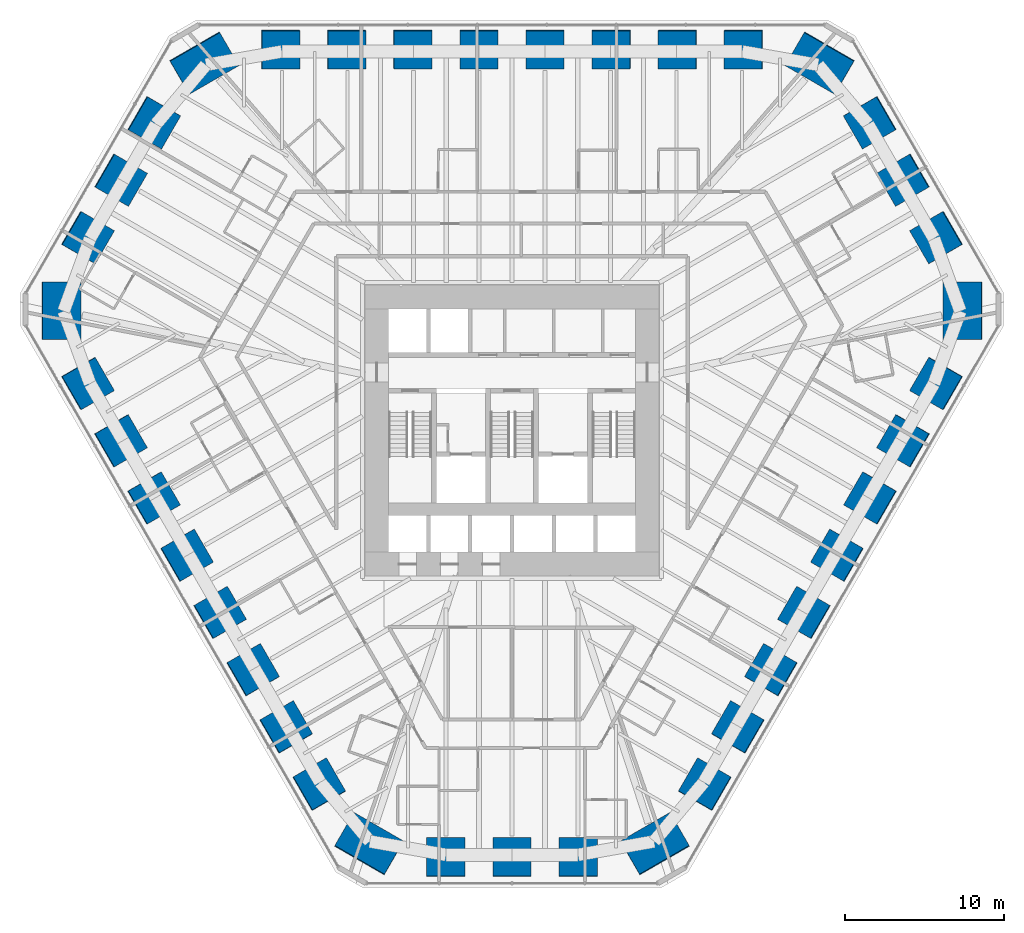
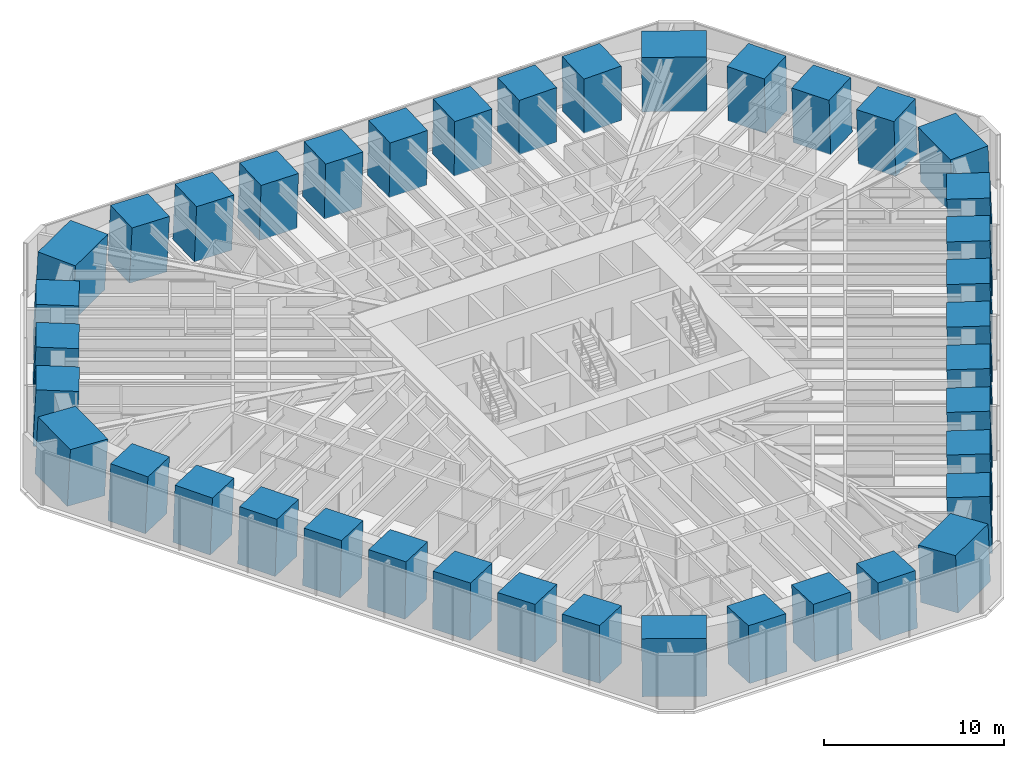
# One storey, part 1 of 17: 39 columns.
"""IFC4 building model written with IfcOpenShell, lengths in metres."""

from ifc_helpers import new_model, si_unit, direction, frame, origin, origin_2d, place, context, subcontext, project, spatial, rectangle, extrude, material, material_profile, profile_set, type_object, element, save


model = new_model("IFC4")

# Units and contexts
model_context = context("Model", 3, precision=1e-05, world=origin(), true_north=direction((0.0, 1.0)))
body_context = subcontext(model_context, "Body", "Model", "MODEL_VIEW")
ifc_project = project(units=[si_unit("LENGTHUNIT", "METRE"), si_unit("AREAUNIT", "SQUARE_METRE"), si_unit("VOLUMEUNIT", "CUBIC_METRE"), si_unit("PLANEANGLEUNIT", "RADIAN"), si_unit("MASSUNIT", "GRAM", prefix="KILO")], contexts=[model_context])

# Site, building, storey
site_placement = place(None, origin())
site = spatial("IfcSite", under=ifc_project, at=site_placement, CompositionType="ELEMENT")
building_placement = place(site_placement, origin())
building = spatial("IfcBuilding", under=site, at=building_placement, Name="Sandreach Pilgrim Tower", CompositionType="ELEMENT")
storey_placement = place(building_placement, frame((0.0, 0.0, 64.800048828125)))
storey = spatial("IfcBuildingStorey", under=building, at=storey_placement, Name="L15", CompositionType="ELEMENT", Elevation=64.800048828125)

# Columns
ifc_material_1 = material(Name="Concrete 10000 psi", Category="concrete")
ifc_material_profile_1 = material_profile(ifc_material_1, rectangle(XDim=2.39990234375, YDim=2.39990234375, at=origin_2d()), Name="RC2400X2400")
ifc_profile_set_1 = profile_set([ifc_material_profile_1], Name="Concrete 10000 psi")
column_type_1 = type_object("IfcColumnType", Name="Raked tube column RC2400X2400", PredefinedType="COLUMN", material=ifc_profile_set_1)
column_1_placement = place(storey_placement, frame((-14.5517578125, 22.40673828125, 0.0), z_axis=(0.02387684412, -0.036713857088, 0.999040534219), x_axis=(0.000229526905, 0.999325609369, 0.036718847706)))
element("IfcColumn", 1, at=column_1_placement, inside=storey, type_object=column_type_1, Name="COL L15 T01", PredefinedType="COLUMN", context=body_context, shape_type="SweptSolid", body=[
    extrude(rectangle(XDim=2.39990234375, YDim=2.39990234375, at=origin_2d()), origin(), (0.0, 0.0, 1.0), 3.8037109375),
])
column_2_placement = place(storey_placement, frame((-10.394287109375, 22.4072265625, 0.0), z_axis=(0.017075606118, -0.036718972555, 0.999179733947), x_axis=(-0.000324961522, 0.999325177797, 0.036729870958)))
element("IfcColumn", 2, at=column_2_placement, inside=storey, type_object=column_type_1, Name="COL L15 T02", PredefinedType="COLUMN", context=body_context, shape_type="SweptSolid", body=[
    extrude(rectangle(XDim=2.39990234375, YDim=2.39990234375, at=origin_2d()), origin(), (0.0, 0.0, 1.0), 3.80322265625),
])
for number, where, z_axis, x_axis, name in (
    (3, (-6.236572265625, 22.407470703125, 0.0), (0.010207803765, -0.036722413544, 0.999273368546), (0.000704593406, 0.99932545045, 0.036717129927), "COL L15 T03"),
    (4, (-2.078857421875, 22.40771484375, 0.0), (0.003402758843, -0.036724114306, 0.999319648892), (0.000242365854, 0.999325435323, 0.036723501678), "COL L15 T04"),
    (5, (2.078857421875, 22.40771484375, 0.0), (-0.003402758843, -0.036724114306, 0.999319648892), (-0.000242365854, 0.999325435323, 0.036723501678), "COL L15 T05"),
    (6, (6.236572265625, 22.407470703125, 0.0), (-0.010207803765, -0.036722413544, 0.999273368546), (-0.000704593406, 0.99932545045, 0.036717129927), "COL L15 T06"),
):
    element("IfcColumn", number, at=place(storey_placement, frame(where, z_axis=z_axis, x_axis=x_axis)), inside=storey, type_object=column_type_1, Name=name, PredefinedType="COLUMN", context=body_context, shape_type="SweptSolid", body=[
        extrude(rectangle(XDim=2.39990234375, YDim=2.39990234375, at=origin_2d()), origin(), (0.0, 0.0, 1.0), 3.802734375),
    ])
column_3_placement = place(storey_placement, frame((10.394287109375, 22.4072265625, 0.0), z_axis=(-0.017075606118, -0.036718972555, 0.999179733947), x_axis=(0.000324961522, 0.999325177797, 0.036729870958)))
element("IfcColumn", 7, at=column_3_placement, inside=storey, type_object=column_type_1, Name="COL L15 T07", PredefinedType="COLUMN", context=body_context, shape_type="SweptSolid", body=[
    extrude(rectangle(XDim=2.39990234375, YDim=2.39990234375, at=origin_2d()), origin(), (0.0, 0.0, 1.0), 3.80322265625),
])
column_4_placement = place(storey_placement, frame((14.5517578125, 22.40673828125, 0.0), z_axis=(-0.02387684412, -0.036713857088, 0.999040534219), x_axis=(-0.000229526905, 0.999325609369, 0.036718847706)))
element("IfcColumn", 8, at=column_4_placement, inside=storey, type_object=column_type_1, Name="COL L15 T08", PredefinedType="COLUMN", context=body_context, shape_type="SweptSolid", body=[
    extrude(rectangle(XDim=2.39990234375, YDim=2.39990234375, at=origin_2d()), origin(), (0.0, 0.0, 1.0), 3.8037109375),
])
column_5_placement = place(storey_placement, frame((22.5087890625, 17.811279296875, 0.0), z_axis=(-0.036324594823, -0.028751622758, 0.998926357646), x_axis=(0.865203233746, 0.499322177845, 0.045833688787)))
element("IfcColumn", 9, at=column_5_placement, inside=storey, type_object=column_type_1, Name="COL L15 T10", PredefinedType="COLUMN", context=body_context, shape_type="SweptSolid", body=[
    extrude(rectangle(XDim=2.39990234375, YDim=2.39990234375, at=origin_2d()), origin(), (0.0, 0.0, 1.0), 3.80419921875),
])
column_6_placement = place(storey_placement, frame((24.594482421875, 14.19970703125, 0.0), z_axis=(-0.039726810938, -0.022976087748, 0.99894638489), x_axis=(0.864737544121, 0.500122844581, 0.045892484303)))
element("IfcColumn", 10, at=column_6_placement, inside=storey, type_object=column_type_1, Name="COL L15 T11", PredefinedType="COLUMN", context=body_context, shape_type="SweptSolid", body=[
    extrude(rectangle(XDim=2.39990234375, YDim=2.39990234375, at=origin_2d()), origin(), (0.0, 0.0, 1.0), 3.803955078125),
])
column_7_placement = place(storey_placement, frame((26.679443359375, 10.587646484375, 0.0), z_axis=(-0.043063214726, -0.017135437156, 0.998925390773), x_axis=(0.864497674409, 0.500540860582, 0.045854310909)))
element("IfcColumn", 11, at=column_7_placement, inside=storey, type_object=column_type_1, Name="COL L15 T12", PredefinedType="COLUMN", context=body_context, shape_type="SweptSolid", body=[
    extrude(rectangle(XDim=2.39990234375, YDim=2.39990234375, at=origin_2d()), origin(), (0.0, 0.0, 1.0), 3.80419921875),
])
column_8_placement = place(storey_placement, frame((26.6806640625, 1.398681640625, 0.0), z_axis=(-0.043710075164, -0.002310664766, 0.9990415858), x_axis=(0.865223526362, -0.500041450944, 0.036698729792)))
element("IfcColumn", 12, at=column_8_placement, inside=storey, type_object=column_type_1, Name="COL L15 T14", PredefinedType="COLUMN", context=body_context, shape_type="SweptSolid", body=[
    extrude(rectangle(XDim=2.39990234375, YDim=2.39990234375, at=origin_2d()), origin(), (0.0, 0.0, 1.0), 3.8037109375),
])
column_9_placement = place(storey_placement, frame((24.602294921875, -2.201904296875, 0.0), z_axis=(-0.040313871888, 0.003594867557, 0.999180598621), x_axis=(0.865292276739, -0.499921607788, 0.036710514605)))
element("IfcColumn", 13, at=column_9_placement, inside=storey, type_object=column_type_1, Name="COL L15 T15", PredefinedType="COLUMN", context=body_context, shape_type="SweptSolid", body=[
    extrude(rectangle(XDim=2.39990234375, YDim=2.39990234375, at=origin_2d()), origin(), (0.0, 0.0, 1.0), 3.80322265625),
])
for number, where, z_axis, x_axis, name in (
    (14, (22.523681640625, -5.802734375, 0.0), (-0.036915008746, 0.009501602251, 0.99927323675), (0.865363128074, -0.499798223787, 0.036720458449), "COL L15 T16"),
    (15, (20.445068359375, -9.403564453125, 0.0), (-0.033513958168, 0.015408716399, 0.999319461467), (0.865447927191, -0.499650776395, 0.03672855794), "COL L15 T17"),
    (16, (18.3662109375, -13.004150390625, 0.0), (-0.030111193695, 0.021315386582, 0.999319253447), (0.865557695046, -0.499460185975, 0.036734169015), "COL L15 T18"),
    (17, (16.287109375, -16.604736328125, 0.0), (-0.026707189651, 0.027220789452, 0.999272612775), (0.865695316087, -0.499221464256, 0.036736212807), "COL L15 T19"),
):
    element("IfcColumn", number, at=place(storey_placement, frame(where, z_axis=z_axis, x_axis=x_axis)), inside=storey, type_object=column_type_1, Name=name, PredefinedType="COLUMN", context=body_context, shape_type="SweptSolid", body=[
        extrude(rectangle(XDim=2.39990234375, YDim=2.39990234375, at=origin_2d()), origin(), (0.0, 0.0, 1.0), 3.802734375),
    ])
column_10_placement = place(storey_placement, frame((14.2080078125, -20.205078125, 0.0), z_axis=(-0.023238310892, 0.033060027926, 0.999183174128), x_axis=(0.865663476908, -0.499282802675, 0.036652799359)))
element("IfcColumn", 18, at=column_10_placement, inside=storey, type_object=column_type_1, Name="COL L15 T20", PredefinedType="COLUMN", context=body_context, shape_type="SweptSolid", body=[
    extrude(rectangle(XDim=2.39990234375, YDim=2.39990234375, at=origin_2d()), origin(), (0.0, 0.0, 1.0), 3.80322265625),
])
column_11_placement = place(storey_placement, frame((12.129150390625, -23.805419921875, 0.0), z_axis=(-0.019897411865, 0.038960416135, 0.99904263121), x_axis=(0.86635546765, -0.498079185721, 0.036678718966)))
element("IfcColumn", 19, at=column_11_placement, inside=storey, type_object=column_type_1, Name="COL L15 T21", PredefinedType="COLUMN", context=body_context, shape_type="SweptSolid", body=[
    extrude(rectangle(XDim=2.39990234375, YDim=2.39990234375, at=origin_2d()), origin(), (0.0, 0.0, 1.0), 3.8037109375),
])
column_12_placement = place(storey_placement, frame((4.170654296875, -28.39892578125, 0.0), z_axis=(-0.00673864507, 0.045886964046, 0.998923909611), x_axis=(-0.00031485931, -0.998946638466, 0.045885884117)))
element("IfcColumn", 20, at=column_12_placement, inside=storey, type_object=column_type_1, Name="COL L15 T23", PredefinedType="COLUMN", context=body_context, shape_type="SweptSolid", body=[
    extrude(rectangle(XDim=2.39990234375, YDim=2.39990234375, at=origin_2d()), origin(), (0.0, 0.0, 1.0), 3.80419921875),
])
column_13_placement = place(storey_placement, frame((0.0, -28.3994140625, 0.0), z_axis=(0.0, 0.04588800593, 0.99894659062), x_axis=(0.0, -0.99894659062, 0.04588800593)))
element("IfcColumn", 21, at=column_13_placement, inside=storey, type_object=column_type_1, Name="COL L15 T24", PredefinedType="COLUMN", context=body_context, shape_type="SweptSolid", body=[
    extrude(rectangle(XDim=2.39990234375, YDim=2.39990234375, at=origin_2d()), origin(), (0.0, 0.0, 1.0), 3.803955078125),
])
column_14_placement = place(storey_placement, frame((-4.170654296875, -28.39892578125, 0.0), z_axis=(0.00673864507, 0.045886964046, 0.998923909611), x_axis=(0.00031485931, -0.998946638466, 0.045885884117)))
element("IfcColumn", 22, at=column_14_placement, inside=storey, type_object=column_type_1, Name="COL L15 T25", PredefinedType="COLUMN", context=body_context, shape_type="SweptSolid", body=[
    extrude(rectangle(XDim=2.39990234375, YDim=2.39990234375, at=origin_2d()), origin(), (0.0, 0.0, 1.0), 3.80419921875),
])
column_15_placement = place(storey_placement, frame((-12.129150390625, -23.805419921875, 0.0), z_axis=(0.019897411865, 0.038960416135, 0.99904263121), x_axis=(-0.86635546765, -0.498079185721, 0.036678718966)))
element("IfcColumn", 23, at=column_15_placement, inside=storey, type_object=column_type_1, Name="COL L15 T27", PredefinedType="COLUMN", context=body_context, shape_type="SweptSolid", body=[
    extrude(rectangle(XDim=2.39990234375, YDim=2.39990234375, at=origin_2d()), origin(), (0.0, 0.0, 1.0), 3.8037109375),
])
column_16_placement = place(storey_placement, frame((-14.2080078125, -20.205078125, 0.0), z_axis=(0.023238310892, 0.033060027926, 0.999183174128), x_axis=(-0.865663476908, -0.499282802675, 0.036652799359)))
element("IfcColumn", 24, at=column_16_placement, inside=storey, type_object=column_type_1, Name="COL L15 T28", PredefinedType="COLUMN", context=body_context, shape_type="SweptSolid", body=[
    extrude(rectangle(XDim=2.39990234375, YDim=2.39990234375, at=origin_2d()), origin(), (0.0, 0.0, 1.0), 3.80322265625),
])
for number, where, z_axis, x_axis, name in (
    (25, (-16.287109375, -16.604736328125, 0.0), (0.026707189651, 0.027220789452, 0.999272612775), (-0.865695316087, -0.499221464256, 0.036736212807), "COL L15 T29"),
    (26, (-18.3662109375, -13.004150390625, 0.0), (0.030111193695, 0.021315386582, 0.999319253447), (-0.865557695046, -0.499460185975, 0.036734169015), "COL L15 T30"),
    (27, (-20.445068359375, -9.403564453125, 0.0), (0.033513958168, 0.015408716399, 0.999319461467), (-0.865447927191, -0.499650776395, 0.03672855794), "COL L15 T31"),
    (28, (-22.523681640625, -5.802734375, 0.0), (0.036915008746, 0.009501602251, 0.99927323675), (-0.865363128074, -0.499798223787, 0.036720458449), "COL L15 T32"),
):
    element("IfcColumn", number, at=place(storey_placement, frame(where, z_axis=z_axis, x_axis=x_axis)), inside=storey, type_object=column_type_1, Name=name, PredefinedType="COLUMN", context=body_context, shape_type="SweptSolid", body=[
        extrude(rectangle(XDim=2.39990234375, YDim=2.39990234375, at=origin_2d()), origin(), (0.0, 0.0, 1.0), 3.802734375),
    ])
column_17_placement = place(storey_placement, frame((-24.602294921875, -2.201904296875, 0.0), z_axis=(0.040313871888, 0.003594867557, 0.999180598621), x_axis=(-0.865292276739, -0.499921607788, 0.036710514605)))
element("IfcColumn", 29, at=column_17_placement, inside=storey, type_object=column_type_1, Name="COL L15 T33", PredefinedType="COLUMN", context=body_context, shape_type="SweptSolid", body=[
    extrude(rectangle(XDim=2.39990234375, YDim=2.39990234375, at=origin_2d()), origin(), (0.0, 0.0, 1.0), 3.80322265625),
])
column_18_placement = place(storey_placement, frame((-26.6806640625, 1.398681640625, 0.0), z_axis=(0.043710075164, -0.002310664766, 0.9990415858), x_axis=(-0.865223526362, -0.500041450944, 0.036698729792)))
element("IfcColumn", 30, at=column_18_placement, inside=storey, type_object=column_type_1, Name="COL L15 T34", PredefinedType="COLUMN", context=body_context, shape_type="SweptSolid", body=[
    extrude(rectangle(XDim=2.39990234375, YDim=2.39990234375, at=origin_2d()), origin(), (0.0, 0.0, 1.0), 3.8037109375),
])
column_19_placement = place(storey_placement, frame((-26.679443359375, 10.587646484375, 0.0), z_axis=(0.043063214726, -0.017135437156, 0.998925390773), x_axis=(-0.864497674409, 0.500540860582, 0.045854310909)))
element("IfcColumn", 31, at=column_19_placement, inside=storey, type_object=column_type_1, Name="COL L15 T36", PredefinedType="COLUMN", context=body_context, shape_type="SweptSolid", body=[
    extrude(rectangle(XDim=2.39990234375, YDim=2.39990234375, at=origin_2d()), origin(), (0.0, 0.0, 1.0), 3.80419921875),
])
column_20_placement = place(storey_placement, frame((-24.594482421875, 14.19970703125, 0.0), z_axis=(0.039726810938, -0.022976087748, 0.99894638489), x_axis=(-0.864737544121, 0.500122844581, 0.045892484303)))
element("IfcColumn", 32, at=column_20_placement, inside=storey, type_object=column_type_1, Name="COL L15 T37", PredefinedType="COLUMN", context=body_context, shape_type="SweptSolid", body=[
    extrude(rectangle(XDim=2.39990234375, YDim=2.39990234375, at=origin_2d()), origin(), (0.0, 0.0, 1.0), 3.803955078125),
])
column_21_placement = place(storey_placement, frame((-22.5087890625, 17.811279296875, 0.0), z_axis=(0.036324594823, -0.028751622758, 0.998926357646), x_axis=(-0.865203233746, 0.499322177845, 0.045833688787)))
element("IfcColumn", 33, at=column_21_placement, inside=storey, type_object=column_type_1, Name="COL L15 T38", PredefinedType="COLUMN", context=body_context, shape_type="SweptSolid", body=[
    extrude(rectangle(XDim=2.39990234375, YDim=2.39990234375, at=origin_2d()), origin(), (0.0, 0.0, 1.0), 3.80419921875),
])
ifc_material_2 = material(Name="Concrete 10000 psi", Category="concrete")
ifc_material_profile_2 = material_profile(ifc_material_2, rectangle(XDim=2.39990234375, YDim=3.60009765625, at=origin_2d()), Name="RC2400X3600")
ifc_profile_set_2 = profile_set([ifc_material_profile_2], Name="Concrete 10000 psi")
column_type_2 = type_object("IfcColumnType", Name="Raked tube corner pier RC2400X3600", PredefinedType="COLUMN", material=ifc_profile_set_2)
for number, where, z_axis, x_axis, name in (
    (34, (19.36083984375, 21.561279296875, 0.0), (-0.031958280822, -0.035551983084, 0.998856708836), (0.499520046627, 0.86503883454, 0.046771120948), "COL L15 T09"),
    (35, (28.35302734375, 5.986328125, 0.0), (-0.04678227982, -0.009882676395, 0.998856221386), (0.998905103639, -0.000352183695, 0.046781084758), "COL L15 T13"),
    (36, (8.9921875, -27.547607421875, 0.0), (-0.014824030832, 0.0454346919, 0.998857315577), (0.499731843942, -0.864917167509, 0.046758715743), "COL L15 T22"),
    (37, (-8.9921875, -27.547607421875, 0.0), (0.014824030832, 0.0454346919, 0.998857315577), (-0.499731843942, -0.864917167509, 0.046758715743), "COL L15 T26"),
    (38, (-28.35302734375, 5.986328125, 0.0), (0.04678227982, -0.009882676395, 0.998856221386), (-0.998905103639, -0.000352183695, 0.046781084758), "COL L15 T35"),
    (39, (-19.36083984375, 21.561279296875, 0.0), (0.031958280822, -0.035551983084, 0.998856708836), (-0.499520046627, 0.86503883454, 0.046771120948), "COL L15 T39"),
):
    element("IfcColumn", number, at=place(storey_placement, frame(where, z_axis=z_axis, x_axis=x_axis)), inside=storey, type_object=column_type_2, Name=name, PredefinedType="COLUMN", context=body_context, shape_type="SweptSolid", body=[
        extrude(rectangle(XDim=2.39990234375, YDim=3.60009765625, at=origin_2d()), origin(), (0.0, 0.0, 1.0), 3.804443359375),
    ])

save(model, "model.ifc")
